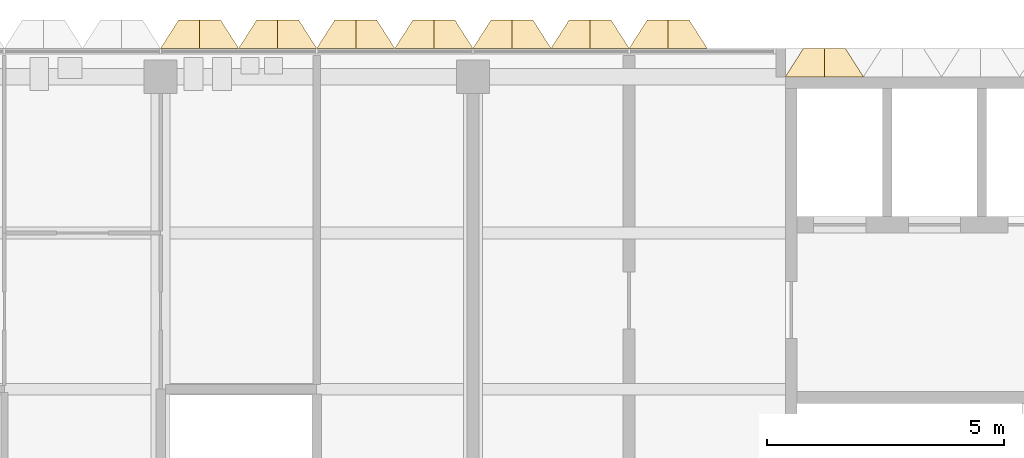
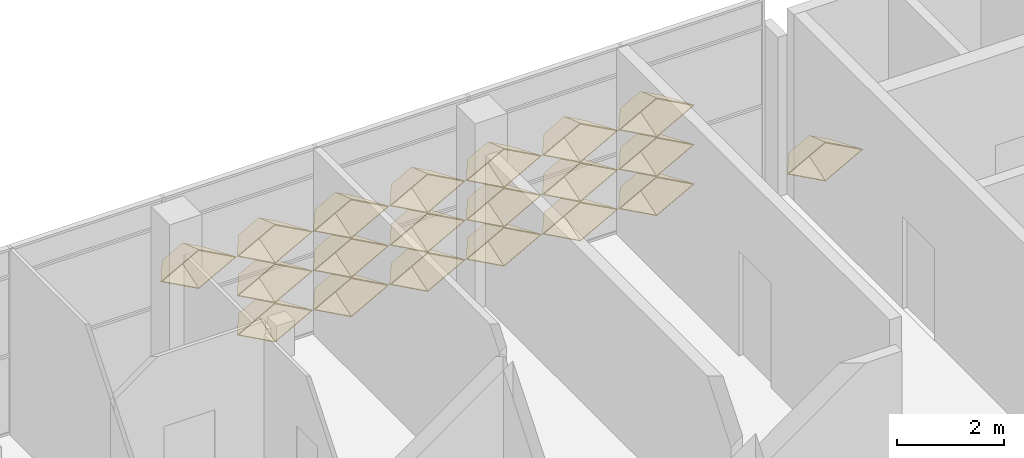
# One storey, part 19 of 21: 20 coverings.
"""IFC4 building model written with IfcOpenShell, lengths in metres."""

from ifc_helpers import new_model, entity, si_unit, direction, frame, origin, place, context, subcontext, project, spatial, material, layer, layer_set, type_object, element, save


model = new_model("IFC4")

# Units and contexts
model_context = context("Model", 3, precision=1e-05, world=origin(), true_north=direction((0.0, 1.0)))
body_context = subcontext(model_context, "Body", "Model", "MODEL_VIEW")
ifc_project = project(units=[si_unit("LENGTHUNIT", "METRE"), si_unit("AREAUNIT", "SQUARE_METRE"), si_unit("VOLUMEUNIT", "CUBIC_METRE"), si_unit("PLANEANGLEUNIT", "RADIAN"), si_unit("MASSUNIT", "GRAM", prefix="KILO")], contexts=[model_context])

# Site, building, storey
site_placement = place(None, origin())
site = spatial("IfcSite", under=ifc_project, at=site_placement, CompositionType="ELEMENT")
building_placement = place(site_placement, origin())
building = spatial("IfcBuilding", under=site, at=building_placement, Name="Lantern Court Research Institute", CompositionType="ELEMENT")
storey_placement = place(building_placement, frame((0.0, 0.0, 41.39990234375)))
storey = spatial("IfcBuildingStorey", under=building, at=storey_placement, Name="L09", CompositionType="ELEMENT", Elevation=41.39990234375)

# Coverings
ifc_material = material(Name="Anodised aluminium", Category="aluminium")
ifc_layer = layer(ifc_material, 0.01611328125)
ifc_layer_set = layer_set([ifc_layer], Name="Anodised aluminium")
covering_type = type_object("IfcCoveringType", Name="Fin cassette 1650 x 900 x 600 aluminium", PredefinedType="CLADDING", material=ifc_layer_set)
covering_1_placement = place(storey_placement, frame((73.425048828125, 23.10009765625, 0.4501953125), z_axis=(0.0, 1.0, 0.0), x_axis=(-1.0, 0.0, 0.0)))
cartesian_point_1 = entity("IfcCartesianPoint", [0.824951171875, 0.0])
cartesian_point_2 = entity("IfcCartesianPoint", [0.79150390625, 0.0])
cartesian_point_3 = entity("IfcCartesianPoint", [0.44189453125, 0.0])
cartesian_point_4 = entity("IfcCartesianPoint", [0.43359375, 0.0])
element("IfcCovering", 1, at=covering_1_placement, inside=storey, type_object=covering_type, Name="Fin cassette V5N-L09 1.45", PredefinedType="CLADDING", context=body_context, shape_type="SweptSolid", body=[
    entity("IfcExtrudedAreaSolidTapered", entity("IfcArbitraryProfileDefWithVoids", "AREA", None, entity("IfcPolyline", [cartesian_point_1, entity("IfcCartesianPoint", [0.0, 0.449951171875]), entity("IfcCartesianPoint", [-0.824951171875, 0.0]), entity("IfcCartesianPoint", [0.0, -0.449951171875]), cartesian_point_1]), [entity("IfcPolyline", [cartesian_point_2, entity("IfcCartesianPoint", [0.0, 0.431884765625]), entity("IfcCartesianPoint", [-0.79150390625, 0.0]), entity("IfcCartesianPoint", [0.0, -0.431884765625]), cartesian_point_2])]), entity("IfcAxis2Placement3D", entity("IfcCartesianPoint", [0.0, 0.0, 0.0])), entity("IfcDirection", [0.0, 0.0, 1.0]), 0.60009765625, entity("IfcArbitraryProfileDefWithVoids", "AREA", None, entity("IfcPolyline", [cartesian_point_3, entity("IfcCartesianPoint", [0.0, 0.240966796875]), entity("IfcCartesianPoint", [-0.44189453125, 0.0]), entity("IfcCartesianPoint", [0.0, -0.240966796875]), cartesian_point_3]), [entity("IfcPolyline", [cartesian_point_4, entity("IfcCartesianPoint", [0.0, 0.236572265625]), entity("IfcCartesianPoint", [-0.43359375, 0.0]), entity("IfcCartesianPoint", [0.0, -0.236572265625]), cartesian_point_4])])),
])
covering_2_placement = place(storey_placement, frame((61.875, 23.699951171875, 0.4501953125), z_axis=(0.0, 1.0, 0.0), x_axis=(-1.0, 0.0, 0.0)))
cartesian_point_5 = entity("IfcCartesianPoint", [0.824951171875, 0.0])
cartesian_point_6 = entity("IfcCartesianPoint", [0.79150390625, 0.0])
cartesian_point_7 = entity("IfcCartesianPoint", [0.44189453125, 0.0])
cartesian_point_8 = entity("IfcCartesianPoint", [0.43359375, 0.0])
element("IfcCovering", 2, at=covering_2_placement, inside=storey, type_object=covering_type, Name="Fin cassette V5N-L09 1.38", PredefinedType="CLADDING", context=body_context, shape_type="SweptSolid", body=[
    entity("IfcExtrudedAreaSolidTapered", entity("IfcArbitraryProfileDefWithVoids", "AREA", None, entity("IfcPolyline", [cartesian_point_5, entity("IfcCartesianPoint", [0.0, 0.449951171875]), entity("IfcCartesianPoint", [-0.824951171875, 0.0]), entity("IfcCartesianPoint", [0.0, -0.449951171875]), cartesian_point_5]), [entity("IfcPolyline", [cartesian_point_6, entity("IfcCartesianPoint", [0.0, 0.431884765625]), entity("IfcCartesianPoint", [-0.79150390625, 0.0]), entity("IfcCartesianPoint", [0.0, -0.431884765625]), cartesian_point_6])]), entity("IfcAxis2Placement3D", entity("IfcCartesianPoint", [0.0, 0.0, 0.0])), entity("IfcDirection", [0.0, 0.0, 1.0]), 0.60009765625, entity("IfcArbitraryProfileDefWithVoids", "AREA", None, entity("IfcPolyline", [cartesian_point_7, entity("IfcCartesianPoint", [0.0, 0.240966796875]), entity("IfcCartesianPoint", [-0.44189453125, 0.0]), entity("IfcCartesianPoint", [0.0, -0.240966796875]), cartesian_point_7]), [entity("IfcPolyline", [cartesian_point_8, entity("IfcCartesianPoint", [0.0, 0.236572265625]), entity("IfcCartesianPoint", [-0.43359375, 0.0]), entity("IfcCartesianPoint", [0.0, -0.236572265625]), cartesian_point_8])])),
])
covering_3_placement = place(storey_placement, frame((63.52490234375, 23.699951171875, 0.4501953125), z_axis=(0.0, 1.0, 0.0), x_axis=(-1.0, 0.0, 0.0)))
cartesian_point_9 = entity("IfcCartesianPoint", [0.824951171875, 0.0])
cartesian_point_10 = entity("IfcCartesianPoint", [0.79150390625, 0.0])
cartesian_point_11 = entity("IfcCartesianPoint", [0.44189453125, 0.0])
cartesian_point_12 = entity("IfcCartesianPoint", [0.43359375, 0.0])
element("IfcCovering", 3, at=covering_3_placement, inside=storey, type_object=covering_type, Name="Fin cassette V5N-L09 1.39", PredefinedType="CLADDING", context=body_context, shape_type="SweptSolid", body=[
    entity("IfcExtrudedAreaSolidTapered", entity("IfcArbitraryProfileDefWithVoids", "AREA", None, entity("IfcPolyline", [cartesian_point_9, entity("IfcCartesianPoint", [0.0, 0.449951171875]), entity("IfcCartesianPoint", [-0.824951171875, 0.0]), entity("IfcCartesianPoint", [0.0, -0.449951171875]), cartesian_point_9]), [entity("IfcPolyline", [cartesian_point_10, entity("IfcCartesianPoint", [0.0, 0.431884765625]), entity("IfcCartesianPoint", [-0.79150390625, 0.0]), entity("IfcCartesianPoint", [0.0, -0.431884765625]), cartesian_point_10])]), entity("IfcAxis2Placement3D", entity("IfcCartesianPoint", [0.0, 0.0, 0.0])), entity("IfcDirection", [0.0, 0.0, 1.0]), 0.60009765625, entity("IfcArbitraryProfileDefWithVoids", "AREA", None, entity("IfcPolyline", [cartesian_point_11, entity("IfcCartesianPoint", [0.0, 0.240966796875]), entity("IfcCartesianPoint", [-0.44189453125, 0.0]), entity("IfcCartesianPoint", [0.0, -0.240966796875]), cartesian_point_11]), [entity("IfcPolyline", [cartesian_point_12, entity("IfcCartesianPoint", [0.0, 0.236572265625]), entity("IfcCartesianPoint", [-0.43359375, 0.0]), entity("IfcCartesianPoint", [0.0, -0.236572265625]), cartesian_point_12])])),
])
covering_4_placement = place(storey_placement, frame((65.175048828125, 23.699951171875, 0.4501953125), z_axis=(0.0, 1.0, 0.0), x_axis=(-1.0, 0.0, 0.0)))
cartesian_point_13 = entity("IfcCartesianPoint", [0.824951171875, 0.0])
cartesian_point_14 = entity("IfcCartesianPoint", [0.79150390625, 0.0])
cartesian_point_15 = entity("IfcCartesianPoint", [0.44189453125, 0.0])
cartesian_point_16 = entity("IfcCartesianPoint", [0.43359375, 0.0])
element("IfcCovering", 4, at=covering_4_placement, inside=storey, type_object=covering_type, Name="Fin cassette V5N-L09 1.40", PredefinedType="CLADDING", context=body_context, shape_type="SweptSolid", body=[
    entity("IfcExtrudedAreaSolidTapered", entity("IfcArbitraryProfileDefWithVoids", "AREA", None, entity("IfcPolyline", [cartesian_point_13, entity("IfcCartesianPoint", [0.0, 0.449951171875]), entity("IfcCartesianPoint", [-0.824951171875, 0.0]), entity("IfcCartesianPoint", [0.0, -0.449951171875]), cartesian_point_13]), [entity("IfcPolyline", [cartesian_point_14, entity("IfcCartesianPoint", [0.0, 0.431884765625]), entity("IfcCartesianPoint", [-0.79150390625, 0.0]), entity("IfcCartesianPoint", [0.0, -0.431884765625]), cartesian_point_14])]), entity("IfcAxis2Placement3D", entity("IfcCartesianPoint", [0.0, 0.0, 0.0])), entity("IfcDirection", [0.0, 0.0, 1.0]), 0.60009765625, entity("IfcArbitraryProfileDefWithVoids", "AREA", None, entity("IfcPolyline", [cartesian_point_15, entity("IfcCartesianPoint", [0.0, 0.240966796875]), entity("IfcCartesianPoint", [-0.44189453125, 0.0]), entity("IfcCartesianPoint", [0.0, -0.240966796875]), cartesian_point_15]), [entity("IfcPolyline", [cartesian_point_16, entity("IfcCartesianPoint", [0.0, 0.236572265625]), entity("IfcCartesianPoint", [-0.43359375, 0.0]), entity("IfcCartesianPoint", [0.0, -0.236572265625]), cartesian_point_16])])),
])
covering_5_placement = place(storey_placement, frame((66.824951171875, 23.699951171875, 0.4501953125), z_axis=(0.0, 1.0, 0.0), x_axis=(-1.0, 0.0, 0.0)))
cartesian_point_17 = entity("IfcCartesianPoint", [0.824951171875, 0.0])
cartesian_point_18 = entity("IfcCartesianPoint", [0.79150390625, 0.0])
cartesian_point_19 = entity("IfcCartesianPoint", [0.44189453125, 0.0])
cartesian_point_20 = entity("IfcCartesianPoint", [0.43359375, 0.0])
element("IfcCovering", 5, at=covering_5_placement, inside=storey, type_object=covering_type, Name="Fin cassette V5N-L09 1.41", PredefinedType="CLADDING", context=body_context, shape_type="SweptSolid", body=[
    entity("IfcExtrudedAreaSolidTapered", entity("IfcArbitraryProfileDefWithVoids", "AREA", None, entity("IfcPolyline", [cartesian_point_17, entity("IfcCartesianPoint", [0.0, 0.449951171875]), entity("IfcCartesianPoint", [-0.824951171875, 0.0]), entity("IfcCartesianPoint", [0.0, -0.449951171875]), cartesian_point_17]), [entity("IfcPolyline", [cartesian_point_18, entity("IfcCartesianPoint", [0.0, 0.431884765625]), entity("IfcCartesianPoint", [-0.79150390625, 0.0]), entity("IfcCartesianPoint", [0.0, -0.431884765625]), cartesian_point_18])]), entity("IfcAxis2Placement3D", entity("IfcCartesianPoint", [0.0, 0.0, 0.0])), entity("IfcDirection", [0.0, 0.0, 1.0]), 0.60009765625, entity("IfcArbitraryProfileDefWithVoids", "AREA", None, entity("IfcPolyline", [cartesian_point_19, entity("IfcCartesianPoint", [0.0, 0.240966796875]), entity("IfcCartesianPoint", [-0.44189453125, 0.0]), entity("IfcCartesianPoint", [0.0, -0.240966796875]), cartesian_point_19]), [entity("IfcPolyline", [cartesian_point_20, entity("IfcCartesianPoint", [0.0, 0.236572265625]), entity("IfcCartesianPoint", [-0.43359375, 0.0]), entity("IfcCartesianPoint", [0.0, -0.236572265625]), cartesian_point_20])])),
])
covering_6_placement = place(storey_placement, frame((68.47509765625, 23.699951171875, 0.4501953125), z_axis=(0.0, 1.0, 0.0), x_axis=(-1.0, 0.0, 0.0)))
cartesian_point_21 = entity("IfcCartesianPoint", [0.824951171875, 0.0])
cartesian_point_22 = entity("IfcCartesianPoint", [0.79150390625, 0.0])
cartesian_point_23 = entity("IfcCartesianPoint", [0.44189453125, 0.0])
cartesian_point_24 = entity("IfcCartesianPoint", [0.43359375, 0.0])
element("IfcCovering", 6, at=covering_6_placement, inside=storey, type_object=covering_type, Name="Fin cassette V5N-L09 1.42", PredefinedType="CLADDING", context=body_context, shape_type="SweptSolid", body=[
    entity("IfcExtrudedAreaSolidTapered", entity("IfcArbitraryProfileDefWithVoids", "AREA", None, entity("IfcPolyline", [cartesian_point_21, entity("IfcCartesianPoint", [0.0, 0.449951171875]), entity("IfcCartesianPoint", [-0.824951171875, 0.0]), entity("IfcCartesianPoint", [0.0, -0.449951171875]), cartesian_point_21]), [entity("IfcPolyline", [cartesian_point_22, entity("IfcCartesianPoint", [0.0, 0.431884765625]), entity("IfcCartesianPoint", [-0.79150390625, 0.0]), entity("IfcCartesianPoint", [0.0, -0.431884765625]), cartesian_point_22])]), entity("IfcAxis2Placement3D", entity("IfcCartesianPoint", [0.0, 0.0, 0.0])), entity("IfcDirection", [0.0, 0.0, 1.0]), 0.60009765625, entity("IfcArbitraryProfileDefWithVoids", "AREA", None, entity("IfcPolyline", [cartesian_point_23, entity("IfcCartesianPoint", [0.0, 0.240966796875]), entity("IfcCartesianPoint", [-0.44189453125, 0.0]), entity("IfcCartesianPoint", [0.0, -0.240966796875]), cartesian_point_23]), [entity("IfcPolyline", [cartesian_point_24, entity("IfcCartesianPoint", [0.0, 0.236572265625]), entity("IfcCartesianPoint", [-0.43359375, 0.0]), entity("IfcCartesianPoint", [0.0, -0.236572265625]), cartesian_point_24])])),
])
covering_7_placement = place(storey_placement, frame((70.125, 23.699951171875, 0.4501953125), z_axis=(0.0, 1.0, 0.0), x_axis=(-1.0, 0.0, 0.0)))
cartesian_point_25 = entity("IfcCartesianPoint", [0.824951171875, 0.0])
cartesian_point_26 = entity("IfcCartesianPoint", [0.79150390625, 0.0])
cartesian_point_27 = entity("IfcCartesianPoint", [0.44189453125, 0.0])
cartesian_point_28 = entity("IfcCartesianPoint", [0.43359375, 0.0])
element("IfcCovering", 7, at=covering_7_placement, inside=storey, type_object=covering_type, Name="Fin cassette V5N-L09 1.43", PredefinedType="CLADDING", context=body_context, shape_type="SweptSolid", body=[
    entity("IfcExtrudedAreaSolidTapered", entity("IfcArbitraryProfileDefWithVoids", "AREA", None, entity("IfcPolyline", [cartesian_point_25, entity("IfcCartesianPoint", [0.0, 0.449951171875]), entity("IfcCartesianPoint", [-0.824951171875, 0.0]), entity("IfcCartesianPoint", [0.0, -0.449951171875]), cartesian_point_25]), [entity("IfcPolyline", [cartesian_point_26, entity("IfcCartesianPoint", [0.0, 0.431884765625]), entity("IfcCartesianPoint", [-0.79150390625, 0.0]), entity("IfcCartesianPoint", [0.0, -0.431884765625]), cartesian_point_26])]), entity("IfcAxis2Placement3D", entity("IfcCartesianPoint", [0.0, 0.0, 0.0])), entity("IfcDirection", [0.0, 0.0, 1.0]), 0.60009765625, entity("IfcArbitraryProfileDefWithVoids", "AREA", None, entity("IfcPolyline", [cartesian_point_27, entity("IfcCartesianPoint", [0.0, 0.240966796875]), entity("IfcCartesianPoint", [-0.44189453125, 0.0]), entity("IfcCartesianPoint", [0.0, -0.240966796875]), cartesian_point_27]), [entity("IfcPolyline", [cartesian_point_28, entity("IfcCartesianPoint", [0.0, 0.236572265625]), entity("IfcCartesianPoint", [-0.43359375, 0.0]), entity("IfcCartesianPoint", [0.0, -0.236572265625]), cartesian_point_28])])),
])
covering_8_placement = place(storey_placement, frame((61.875, 23.699951171875, 1.35009765625), z_axis=(0.0, 1.0, 0.0), x_axis=(-1.0, 0.0, 0.0)))
cartesian_point_29 = entity("IfcCartesianPoint", [0.824951171875, 0.0])
cartesian_point_30 = entity("IfcCartesianPoint", [0.79150390625, 0.0])
cartesian_point_31 = entity("IfcCartesianPoint", [0.44189453125, 0.0])
cartesian_point_32 = entity("IfcCartesianPoint", [0.43359375, 0.0])
element("IfcCovering", 8, at=covering_8_placement, inside=storey, type_object=covering_type, Name="Fin cassette V5N-L09 2.38", PredefinedType="CLADDING", context=body_context, shape_type="SweptSolid", body=[
    entity("IfcExtrudedAreaSolidTapered", entity("IfcArbitraryProfileDefWithVoids", "AREA", None, entity("IfcPolyline", [cartesian_point_29, entity("IfcCartesianPoint", [0.0, 0.449951171875]), entity("IfcCartesianPoint", [-0.824951171875, 0.0]), entity("IfcCartesianPoint", [0.0, -0.449951171875]), cartesian_point_29]), [entity("IfcPolyline", [cartesian_point_30, entity("IfcCartesianPoint", [0.0, 0.431884765625]), entity("IfcCartesianPoint", [-0.79150390625, 0.0]), entity("IfcCartesianPoint", [0.0, -0.431884765625]), cartesian_point_30])]), entity("IfcAxis2Placement3D", entity("IfcCartesianPoint", [0.0, 0.0, 0.0])), entity("IfcDirection", [0.0, 0.0, 1.0]), 0.60009765625, entity("IfcArbitraryProfileDefWithVoids", "AREA", None, entity("IfcPolyline", [cartesian_point_31, entity("IfcCartesianPoint", [0.0, 0.240966796875]), entity("IfcCartesianPoint", [-0.44189453125, 0.0]), entity("IfcCartesianPoint", [0.0, -0.240966796875]), cartesian_point_31]), [entity("IfcPolyline", [cartesian_point_32, entity("IfcCartesianPoint", [0.0, 0.236572265625]), entity("IfcCartesianPoint", [-0.43359375, 0.0]), entity("IfcCartesianPoint", [0.0, -0.236572265625]), cartesian_point_32])])),
])
covering_9_placement = place(storey_placement, frame((63.52490234375, 23.699951171875, 1.35009765625), z_axis=(0.0, 1.0, 0.0), x_axis=(-1.0, 0.0, 0.0)))
cartesian_point_33 = entity("IfcCartesianPoint", [0.824951171875, 0.0])
cartesian_point_34 = entity("IfcCartesianPoint", [0.79150390625, 0.0])
cartesian_point_35 = entity("IfcCartesianPoint", [0.44189453125, 0.0])
cartesian_point_36 = entity("IfcCartesianPoint", [0.43359375, 0.0])
element("IfcCovering", 9, at=covering_9_placement, inside=storey, type_object=covering_type, Name="Fin cassette V5N-L09 2.39", PredefinedType="CLADDING", context=body_context, shape_type="SweptSolid", body=[
    entity("IfcExtrudedAreaSolidTapered", entity("IfcArbitraryProfileDefWithVoids", "AREA", None, entity("IfcPolyline", [cartesian_point_33, entity("IfcCartesianPoint", [0.0, 0.449951171875]), entity("IfcCartesianPoint", [-0.824951171875, 0.0]), entity("IfcCartesianPoint", [0.0, -0.449951171875]), cartesian_point_33]), [entity("IfcPolyline", [cartesian_point_34, entity("IfcCartesianPoint", [0.0, 0.431884765625]), entity("IfcCartesianPoint", [-0.79150390625, 0.0]), entity("IfcCartesianPoint", [0.0, -0.431884765625]), cartesian_point_34])]), entity("IfcAxis2Placement3D", entity("IfcCartesianPoint", [0.0, 0.0, 0.0])), entity("IfcDirection", [0.0, 0.0, 1.0]), 0.60009765625, entity("IfcArbitraryProfileDefWithVoids", "AREA", None, entity("IfcPolyline", [cartesian_point_35, entity("IfcCartesianPoint", [0.0, 0.240966796875]), entity("IfcCartesianPoint", [-0.44189453125, 0.0]), entity("IfcCartesianPoint", [0.0, -0.240966796875]), cartesian_point_35]), [entity("IfcPolyline", [cartesian_point_36, entity("IfcCartesianPoint", [0.0, 0.236572265625]), entity("IfcCartesianPoint", [-0.43359375, 0.0]), entity("IfcCartesianPoint", [0.0, -0.236572265625]), cartesian_point_36])])),
])
covering_10_placement = place(storey_placement, frame((65.175048828125, 23.699951171875, 1.35009765625), z_axis=(0.0, 1.0, 0.0), x_axis=(-1.0, 0.0, 0.0)))
cartesian_point_37 = entity("IfcCartesianPoint", [0.824951171875, 0.0])
cartesian_point_38 = entity("IfcCartesianPoint", [0.79150390625, 0.0])
cartesian_point_39 = entity("IfcCartesianPoint", [0.44189453125, 0.0])
cartesian_point_40 = entity("IfcCartesianPoint", [0.43359375, 0.0])
element("IfcCovering", 10, at=covering_10_placement, inside=storey, type_object=covering_type, Name="Fin cassette V5N-L09 2.40", PredefinedType="CLADDING", context=body_context, shape_type="SweptSolid", body=[
    entity("IfcExtrudedAreaSolidTapered", entity("IfcArbitraryProfileDefWithVoids", "AREA", None, entity("IfcPolyline", [cartesian_point_37, entity("IfcCartesianPoint", [0.0, 0.449951171875]), entity("IfcCartesianPoint", [-0.824951171875, 0.0]), entity("IfcCartesianPoint", [0.0, -0.449951171875]), cartesian_point_37]), [entity("IfcPolyline", [cartesian_point_38, entity("IfcCartesianPoint", [0.0, 0.431884765625]), entity("IfcCartesianPoint", [-0.79150390625, 0.0]), entity("IfcCartesianPoint", [0.0, -0.431884765625]), cartesian_point_38])]), entity("IfcAxis2Placement3D", entity("IfcCartesianPoint", [0.0, 0.0, 0.0])), entity("IfcDirection", [0.0, 0.0, 1.0]), 0.60009765625, entity("IfcArbitraryProfileDefWithVoids", "AREA", None, entity("IfcPolyline", [cartesian_point_39, entity("IfcCartesianPoint", [0.0, 0.240966796875]), entity("IfcCartesianPoint", [-0.44189453125, 0.0]), entity("IfcCartesianPoint", [0.0, -0.240966796875]), cartesian_point_39]), [entity("IfcPolyline", [cartesian_point_40, entity("IfcCartesianPoint", [0.0, 0.236572265625]), entity("IfcCartesianPoint", [-0.43359375, 0.0]), entity("IfcCartesianPoint", [0.0, -0.236572265625]), cartesian_point_40])])),
])
covering_11_placement = place(storey_placement, frame((66.824951171875, 23.699951171875, 1.35009765625), z_axis=(0.0, 1.0, 0.0), x_axis=(-1.0, 0.0, 0.0)))
cartesian_point_41 = entity("IfcCartesianPoint", [0.824951171875, 0.0])
cartesian_point_42 = entity("IfcCartesianPoint", [0.79150390625, 0.0])
cartesian_point_43 = entity("IfcCartesianPoint", [0.44189453125, 0.0])
cartesian_point_44 = entity("IfcCartesianPoint", [0.43359375, 0.0])
element("IfcCovering", 11, at=covering_11_placement, inside=storey, type_object=covering_type, Name="Fin cassette V5N-L09 2.41", PredefinedType="CLADDING", context=body_context, shape_type="SweptSolid", body=[
    entity("IfcExtrudedAreaSolidTapered", entity("IfcArbitraryProfileDefWithVoids", "AREA", None, entity("IfcPolyline", [cartesian_point_41, entity("IfcCartesianPoint", [0.0, 0.449951171875]), entity("IfcCartesianPoint", [-0.824951171875, 0.0]), entity("IfcCartesianPoint", [0.0, -0.449951171875]), cartesian_point_41]), [entity("IfcPolyline", [cartesian_point_42, entity("IfcCartesianPoint", [0.0, 0.431884765625]), entity("IfcCartesianPoint", [-0.79150390625, 0.0]), entity("IfcCartesianPoint", [0.0, -0.431884765625]), cartesian_point_42])]), entity("IfcAxis2Placement3D", entity("IfcCartesianPoint", [0.0, 0.0, 0.0])), entity("IfcDirection", [0.0, 0.0, 1.0]), 0.60009765625, entity("IfcArbitraryProfileDefWithVoids", "AREA", None, entity("IfcPolyline", [cartesian_point_43, entity("IfcCartesianPoint", [0.0, 0.240966796875]), entity("IfcCartesianPoint", [-0.44189453125, 0.0]), entity("IfcCartesianPoint", [0.0, -0.240966796875]), cartesian_point_43]), [entity("IfcPolyline", [cartesian_point_44, entity("IfcCartesianPoint", [0.0, 0.236572265625]), entity("IfcCartesianPoint", [-0.43359375, 0.0]), entity("IfcCartesianPoint", [0.0, -0.236572265625]), cartesian_point_44])])),
])
covering_12_placement = place(storey_placement, frame((68.47509765625, 23.699951171875, 1.35009765625), z_axis=(0.0, 1.0, 0.0), x_axis=(-1.0, 0.0, 0.0)))
cartesian_point_45 = entity("IfcCartesianPoint", [0.824951171875, 0.0])
cartesian_point_46 = entity("IfcCartesianPoint", [0.79150390625, 0.0])
cartesian_point_47 = entity("IfcCartesianPoint", [0.44189453125, 0.0])
cartesian_point_48 = entity("IfcCartesianPoint", [0.43359375, 0.0])
element("IfcCovering", 12, at=covering_12_placement, inside=storey, type_object=covering_type, Name="Fin cassette V5N-L09 2.42", PredefinedType="CLADDING", context=body_context, shape_type="SweptSolid", body=[
    entity("IfcExtrudedAreaSolidTapered", entity("IfcArbitraryProfileDefWithVoids", "AREA", None, entity("IfcPolyline", [cartesian_point_45, entity("IfcCartesianPoint", [0.0, 0.449951171875]), entity("IfcCartesianPoint", [-0.824951171875, 0.0]), entity("IfcCartesianPoint", [0.0, -0.449951171875]), cartesian_point_45]), [entity("IfcPolyline", [cartesian_point_46, entity("IfcCartesianPoint", [0.0, 0.431884765625]), entity("IfcCartesianPoint", [-0.79150390625, 0.0]), entity("IfcCartesianPoint", [0.0, -0.431884765625]), cartesian_point_46])]), entity("IfcAxis2Placement3D", entity("IfcCartesianPoint", [0.0, 0.0, 0.0])), entity("IfcDirection", [0.0, 0.0, 1.0]), 0.60009765625, entity("IfcArbitraryProfileDefWithVoids", "AREA", None, entity("IfcPolyline", [cartesian_point_47, entity("IfcCartesianPoint", [0.0, 0.240966796875]), entity("IfcCartesianPoint", [-0.44189453125, 0.0]), entity("IfcCartesianPoint", [0.0, -0.240966796875]), cartesian_point_47]), [entity("IfcPolyline", [cartesian_point_48, entity("IfcCartesianPoint", [0.0, 0.236572265625]), entity("IfcCartesianPoint", [-0.43359375, 0.0]), entity("IfcCartesianPoint", [0.0, -0.236572265625]), cartesian_point_48])])),
])
covering_13_placement = place(storey_placement, frame((70.125, 23.699951171875, 1.35009765625), z_axis=(0.0, 1.0, 0.0), x_axis=(-1.0, 0.0, 0.0)))
cartesian_point_49 = entity("IfcCartesianPoint", [0.824951171875, 0.0])
cartesian_point_50 = entity("IfcCartesianPoint", [0.79150390625, 0.0])
cartesian_point_51 = entity("IfcCartesianPoint", [0.44189453125, 0.0])
cartesian_point_52 = entity("IfcCartesianPoint", [0.43359375, 0.0])
element("IfcCovering", 13, at=covering_13_placement, inside=storey, type_object=covering_type, Name="Fin cassette V5N-L09 2.43", PredefinedType="CLADDING", context=body_context, shape_type="SweptSolid", body=[
    entity("IfcExtrudedAreaSolidTapered", entity("IfcArbitraryProfileDefWithVoids", "AREA", None, entity("IfcPolyline", [cartesian_point_49, entity("IfcCartesianPoint", [0.0, 0.449951171875]), entity("IfcCartesianPoint", [-0.824951171875, 0.0]), entity("IfcCartesianPoint", [0.0, -0.449951171875]), cartesian_point_49]), [entity("IfcPolyline", [cartesian_point_50, entity("IfcCartesianPoint", [0.0, 0.431884765625]), entity("IfcCartesianPoint", [-0.79150390625, 0.0]), entity("IfcCartesianPoint", [0.0, -0.431884765625]), cartesian_point_50])]), entity("IfcAxis2Placement3D", entity("IfcCartesianPoint", [0.0, 0.0, 0.0])), entity("IfcDirection", [0.0, 0.0, 1.0]), 0.60009765625, entity("IfcArbitraryProfileDefWithVoids", "AREA", None, entity("IfcPolyline", [cartesian_point_51, entity("IfcCartesianPoint", [0.0, 0.240966796875]), entity("IfcCartesianPoint", [-0.44189453125, 0.0]), entity("IfcCartesianPoint", [0.0, -0.240966796875]), cartesian_point_51]), [entity("IfcPolyline", [cartesian_point_52, entity("IfcCartesianPoint", [0.0, 0.236572265625]), entity("IfcCartesianPoint", [-0.43359375, 0.0]), entity("IfcCartesianPoint", [0.0, -0.236572265625]), cartesian_point_52])])),
])
covering_14_placement = place(storey_placement, frame((60.22509765625, 23.699951171875, 2.25), z_axis=(0.0, 1.0, 0.0), x_axis=(-1.0, 0.0, 0.0)))
cartesian_point_53 = entity("IfcCartesianPoint", [0.824951171875, 0.0])
cartesian_point_54 = entity("IfcCartesianPoint", [0.79150390625, 0.0])
cartesian_point_55 = entity("IfcCartesianPoint", [0.44189453125, 0.0])
cartesian_point_56 = entity("IfcCartesianPoint", [0.43359375, 0.0])
element("IfcCovering", 14, at=covering_14_placement, inside=storey, type_object=covering_type, Name="Fin cassette V5N-L09 3.37", PredefinedType="CLADDING", context=body_context, shape_type="SweptSolid", body=[
    entity("IfcExtrudedAreaSolidTapered", entity("IfcArbitraryProfileDefWithVoids", "AREA", None, entity("IfcPolyline", [cartesian_point_53, entity("IfcCartesianPoint", [0.0, 0.449951171875]), entity("IfcCartesianPoint", [-0.824951171875, 0.0]), entity("IfcCartesianPoint", [0.0, -0.449951171875]), cartesian_point_53]), [entity("IfcPolyline", [cartesian_point_54, entity("IfcCartesianPoint", [0.0, 0.431884765625]), entity("IfcCartesianPoint", [-0.79150390625, 0.0]), entity("IfcCartesianPoint", [0.0, -0.431884765625]), cartesian_point_54])]), entity("IfcAxis2Placement3D", entity("IfcCartesianPoint", [0.0, 0.0, 0.0])), entity("IfcDirection", [0.0, 0.0, 1.0]), 0.60009765625, entity("IfcArbitraryProfileDefWithVoids", "AREA", None, entity("IfcPolyline", [cartesian_point_55, entity("IfcCartesianPoint", [0.0, 0.240966796875]), entity("IfcCartesianPoint", [-0.44189453125, 0.0]), entity("IfcCartesianPoint", [0.0, -0.240966796875]), cartesian_point_55]), [entity("IfcPolyline", [cartesian_point_56, entity("IfcCartesianPoint", [0.0, 0.236572265625]), entity("IfcCartesianPoint", [-0.43359375, 0.0]), entity("IfcCartesianPoint", [0.0, -0.236572265625]), cartesian_point_56])])),
])
covering_15_placement = place(storey_placement, frame((61.875, 23.699951171875, 2.25), z_axis=(0.0, 1.0, 0.0), x_axis=(-1.0, 0.0, 0.0)))
cartesian_point_57 = entity("IfcCartesianPoint", [0.824951171875, 0.0])
cartesian_point_58 = entity("IfcCartesianPoint", [0.79150390625, 0.0])
cartesian_point_59 = entity("IfcCartesianPoint", [0.44189453125, 0.0])
cartesian_point_60 = entity("IfcCartesianPoint", [0.43359375, 0.0])
element("IfcCovering", 15, at=covering_15_placement, inside=storey, type_object=covering_type, Name="Fin cassette V5N-L09 3.38", PredefinedType="CLADDING", context=body_context, shape_type="SweptSolid", body=[
    entity("IfcExtrudedAreaSolidTapered", entity("IfcArbitraryProfileDefWithVoids", "AREA", None, entity("IfcPolyline", [cartesian_point_57, entity("IfcCartesianPoint", [0.0, 0.449951171875]), entity("IfcCartesianPoint", [-0.824951171875, 0.0]), entity("IfcCartesianPoint", [0.0, -0.449951171875]), cartesian_point_57]), [entity("IfcPolyline", [cartesian_point_58, entity("IfcCartesianPoint", [0.0, 0.431884765625]), entity("IfcCartesianPoint", [-0.79150390625, 0.0]), entity("IfcCartesianPoint", [0.0, -0.431884765625]), cartesian_point_58])]), entity("IfcAxis2Placement3D", entity("IfcCartesianPoint", [0.0, 0.0, 0.0])), entity("IfcDirection", [0.0, 0.0, 1.0]), 0.60009765625, entity("IfcArbitraryProfileDefWithVoids", "AREA", None, entity("IfcPolyline", [cartesian_point_59, entity("IfcCartesianPoint", [0.0, 0.240966796875]), entity("IfcCartesianPoint", [-0.44189453125, 0.0]), entity("IfcCartesianPoint", [0.0, -0.240966796875]), cartesian_point_59]), [entity("IfcPolyline", [cartesian_point_60, entity("IfcCartesianPoint", [0.0, 0.236572265625]), entity("IfcCartesianPoint", [-0.43359375, 0.0]), entity("IfcCartesianPoint", [0.0, -0.236572265625]), cartesian_point_60])])),
])
covering_16_placement = place(storey_placement, frame((63.52490234375, 23.699951171875, 2.25), z_axis=(0.0, 1.0, 0.0), x_axis=(-1.0, 0.0, 0.0)))
cartesian_point_61 = entity("IfcCartesianPoint", [0.824951171875, 0.0])
cartesian_point_62 = entity("IfcCartesianPoint", [0.79150390625, 0.0])
cartesian_point_63 = entity("IfcCartesianPoint", [0.44189453125, 0.0])
cartesian_point_64 = entity("IfcCartesianPoint", [0.43359375, 0.0])
element("IfcCovering", 16, at=covering_16_placement, inside=storey, type_object=covering_type, Name="Fin cassette V5N-L09 3.39", PredefinedType="CLADDING", context=body_context, shape_type="SweptSolid", body=[
    entity("IfcExtrudedAreaSolidTapered", entity("IfcArbitraryProfileDefWithVoids", "AREA", None, entity("IfcPolyline", [cartesian_point_61, entity("IfcCartesianPoint", [0.0, 0.449951171875]), entity("IfcCartesianPoint", [-0.824951171875, 0.0]), entity("IfcCartesianPoint", [0.0, -0.449951171875]), cartesian_point_61]), [entity("IfcPolyline", [cartesian_point_62, entity("IfcCartesianPoint", [0.0, 0.431884765625]), entity("IfcCartesianPoint", [-0.79150390625, 0.0]), entity("IfcCartesianPoint", [0.0, -0.431884765625]), cartesian_point_62])]), entity("IfcAxis2Placement3D", entity("IfcCartesianPoint", [0.0, 0.0, 0.0])), entity("IfcDirection", [0.0, 0.0, 1.0]), 0.60009765625, entity("IfcArbitraryProfileDefWithVoids", "AREA", None, entity("IfcPolyline", [cartesian_point_63, entity("IfcCartesianPoint", [0.0, 0.240966796875]), entity("IfcCartesianPoint", [-0.44189453125, 0.0]), entity("IfcCartesianPoint", [0.0, -0.240966796875]), cartesian_point_63]), [entity("IfcPolyline", [cartesian_point_64, entity("IfcCartesianPoint", [0.0, 0.236572265625]), entity("IfcCartesianPoint", [-0.43359375, 0.0]), entity("IfcCartesianPoint", [0.0, -0.236572265625]), cartesian_point_64])])),
])
covering_17_placement = place(storey_placement, frame((65.175048828125, 23.699951171875, 2.25), z_axis=(0.0, 1.0, 0.0), x_axis=(-1.0, 0.0, 0.0)))
cartesian_point_65 = entity("IfcCartesianPoint", [0.824951171875, 0.0])
cartesian_point_66 = entity("IfcCartesianPoint", [0.79150390625, 0.0])
cartesian_point_67 = entity("IfcCartesianPoint", [0.44189453125, 0.0])
cartesian_point_68 = entity("IfcCartesianPoint", [0.43359375, 0.0])
element("IfcCovering", 17, at=covering_17_placement, inside=storey, type_object=covering_type, Name="Fin cassette V5N-L09 3.40", PredefinedType="CLADDING", context=body_context, shape_type="SweptSolid", body=[
    entity("IfcExtrudedAreaSolidTapered", entity("IfcArbitraryProfileDefWithVoids", "AREA", None, entity("IfcPolyline", [cartesian_point_65, entity("IfcCartesianPoint", [0.0, 0.449951171875]), entity("IfcCartesianPoint", [-0.824951171875, 0.0]), entity("IfcCartesianPoint", [0.0, -0.449951171875]), cartesian_point_65]), [entity("IfcPolyline", [cartesian_point_66, entity("IfcCartesianPoint", [0.0, 0.431884765625]), entity("IfcCartesianPoint", [-0.79150390625, 0.0]), entity("IfcCartesianPoint", [0.0, -0.431884765625]), cartesian_point_66])]), entity("IfcAxis2Placement3D", entity("IfcCartesianPoint", [0.0, 0.0, 0.0])), entity("IfcDirection", [0.0, 0.0, 1.0]), 0.60009765625, entity("IfcArbitraryProfileDefWithVoids", "AREA", None, entity("IfcPolyline", [cartesian_point_67, entity("IfcCartesianPoint", [0.0, 0.240966796875]), entity("IfcCartesianPoint", [-0.44189453125, 0.0]), entity("IfcCartesianPoint", [0.0, -0.240966796875]), cartesian_point_67]), [entity("IfcPolyline", [cartesian_point_68, entity("IfcCartesianPoint", [0.0, 0.236572265625]), entity("IfcCartesianPoint", [-0.43359375, 0.0]), entity("IfcCartesianPoint", [0.0, -0.236572265625]), cartesian_point_68])])),
])
covering_18_placement = place(storey_placement, frame((66.824951171875, 23.699951171875, 2.25), z_axis=(0.0, 1.0, 0.0), x_axis=(-1.0, 0.0, 0.0)))
cartesian_point_69 = entity("IfcCartesianPoint", [0.824951171875, 0.0])
cartesian_point_70 = entity("IfcCartesianPoint", [0.79150390625, 0.0])
cartesian_point_71 = entity("IfcCartesianPoint", [0.44189453125, 0.0])
cartesian_point_72 = entity("IfcCartesianPoint", [0.43359375, 0.0])
element("IfcCovering", 18, at=covering_18_placement, inside=storey, type_object=covering_type, Name="Fin cassette V5N-L09 3.41", PredefinedType="CLADDING", context=body_context, shape_type="SweptSolid", body=[
    entity("IfcExtrudedAreaSolidTapered", entity("IfcArbitraryProfileDefWithVoids", "AREA", None, entity("IfcPolyline", [cartesian_point_69, entity("IfcCartesianPoint", [0.0, 0.449951171875]), entity("IfcCartesianPoint", [-0.824951171875, 0.0]), entity("IfcCartesianPoint", [0.0, -0.449951171875]), cartesian_point_69]), [entity("IfcPolyline", [cartesian_point_70, entity("IfcCartesianPoint", [0.0, 0.431884765625]), entity("IfcCartesianPoint", [-0.79150390625, 0.0]), entity("IfcCartesianPoint", [0.0, -0.431884765625]), cartesian_point_70])]), entity("IfcAxis2Placement3D", entity("IfcCartesianPoint", [0.0, 0.0, 0.0])), entity("IfcDirection", [0.0, 0.0, 1.0]), 0.60009765625, entity("IfcArbitraryProfileDefWithVoids", "AREA", None, entity("IfcPolyline", [cartesian_point_71, entity("IfcCartesianPoint", [0.0, 0.240966796875]), entity("IfcCartesianPoint", [-0.44189453125, 0.0]), entity("IfcCartesianPoint", [0.0, -0.240966796875]), cartesian_point_71]), [entity("IfcPolyline", [cartesian_point_72, entity("IfcCartesianPoint", [0.0, 0.236572265625]), entity("IfcCartesianPoint", [-0.43359375, 0.0]), entity("IfcCartesianPoint", [0.0, -0.236572265625]), cartesian_point_72])])),
])
covering_19_placement = place(storey_placement, frame((68.47509765625, 23.699951171875, 2.25), z_axis=(0.0, 1.0, 0.0), x_axis=(-1.0, 0.0, 0.0)))
cartesian_point_73 = entity("IfcCartesianPoint", [0.824951171875, 0.0])
cartesian_point_74 = entity("IfcCartesianPoint", [0.79150390625, 0.0])
cartesian_point_75 = entity("IfcCartesianPoint", [0.44189453125, 0.0])
cartesian_point_76 = entity("IfcCartesianPoint", [0.43359375, 0.0])
element("IfcCovering", 19, at=covering_19_placement, inside=storey, type_object=covering_type, Name="Fin cassette V5N-L09 3.42", PredefinedType="CLADDING", context=body_context, shape_type="SweptSolid", body=[
    entity("IfcExtrudedAreaSolidTapered", entity("IfcArbitraryProfileDefWithVoids", "AREA", None, entity("IfcPolyline", [cartesian_point_73, entity("IfcCartesianPoint", [0.0, 0.449951171875]), entity("IfcCartesianPoint", [-0.824951171875, 0.0]), entity("IfcCartesianPoint", [0.0, -0.449951171875]), cartesian_point_73]), [entity("IfcPolyline", [cartesian_point_74, entity("IfcCartesianPoint", [0.0, 0.431884765625]), entity("IfcCartesianPoint", [-0.79150390625, 0.0]), entity("IfcCartesianPoint", [0.0, -0.431884765625]), cartesian_point_74])]), entity("IfcAxis2Placement3D", entity("IfcCartesianPoint", [0.0, 0.0, 0.0])), entity("IfcDirection", [0.0, 0.0, 1.0]), 0.60009765625, entity("IfcArbitraryProfileDefWithVoids", "AREA", None, entity("IfcPolyline", [cartesian_point_75, entity("IfcCartesianPoint", [0.0, 0.240966796875]), entity("IfcCartesianPoint", [-0.44189453125, 0.0]), entity("IfcCartesianPoint", [0.0, -0.240966796875]), cartesian_point_75]), [entity("IfcPolyline", [cartesian_point_76, entity("IfcCartesianPoint", [0.0, 0.236572265625]), entity("IfcCartesianPoint", [-0.43359375, 0.0]), entity("IfcCartesianPoint", [0.0, -0.236572265625]), cartesian_point_76])])),
])
covering_20_placement = place(storey_placement, frame((70.125, 23.699951171875, 2.25), z_axis=(0.0, 1.0, 0.0), x_axis=(-1.0, 0.0, 0.0)))
cartesian_point_77 = entity("IfcCartesianPoint", [0.824951171875, 0.0])
cartesian_point_78 = entity("IfcCartesianPoint", [0.79150390625, 0.0])
cartesian_point_79 = entity("IfcCartesianPoint", [0.44189453125, 0.0])
cartesian_point_80 = entity("IfcCartesianPoint", [0.43359375, 0.0])
element("IfcCovering", 20, at=covering_20_placement, inside=storey, type_object=covering_type, Name="Fin cassette V5N-L09 3.43", PredefinedType="CLADDING", context=body_context, shape_type="SweptSolid", body=[
    entity("IfcExtrudedAreaSolidTapered", entity("IfcArbitraryProfileDefWithVoids", "AREA", None, entity("IfcPolyline", [cartesian_point_77, entity("IfcCartesianPoint", [0.0, 0.449951171875]), entity("IfcCartesianPoint", [-0.824951171875, 0.0]), entity("IfcCartesianPoint", [0.0, -0.449951171875]), cartesian_point_77]), [entity("IfcPolyline", [cartesian_point_78, entity("IfcCartesianPoint", [0.0, 0.431884765625]), entity("IfcCartesianPoint", [-0.79150390625, 0.0]), entity("IfcCartesianPoint", [0.0, -0.431884765625]), cartesian_point_78])]), entity("IfcAxis2Placement3D", entity("IfcCartesianPoint", [0.0, 0.0, 0.0])), entity("IfcDirection", [0.0, 0.0, 1.0]), 0.60009765625, entity("IfcArbitraryProfileDefWithVoids", "AREA", None, entity("IfcPolyline", [cartesian_point_79, entity("IfcCartesianPoint", [0.0, 0.240966796875]), entity("IfcCartesianPoint", [-0.44189453125, 0.0]), entity("IfcCartesianPoint", [0.0, -0.240966796875]), cartesian_point_79]), [entity("IfcPolyline", [cartesian_point_80, entity("IfcCartesianPoint", [0.0, 0.236572265625]), entity("IfcCartesianPoint", [-0.43359375, 0.0]), entity("IfcCartesianPoint", [0.0, -0.236572265625]), cartesian_point_80])])),
])

save(model, "model.ifc")
